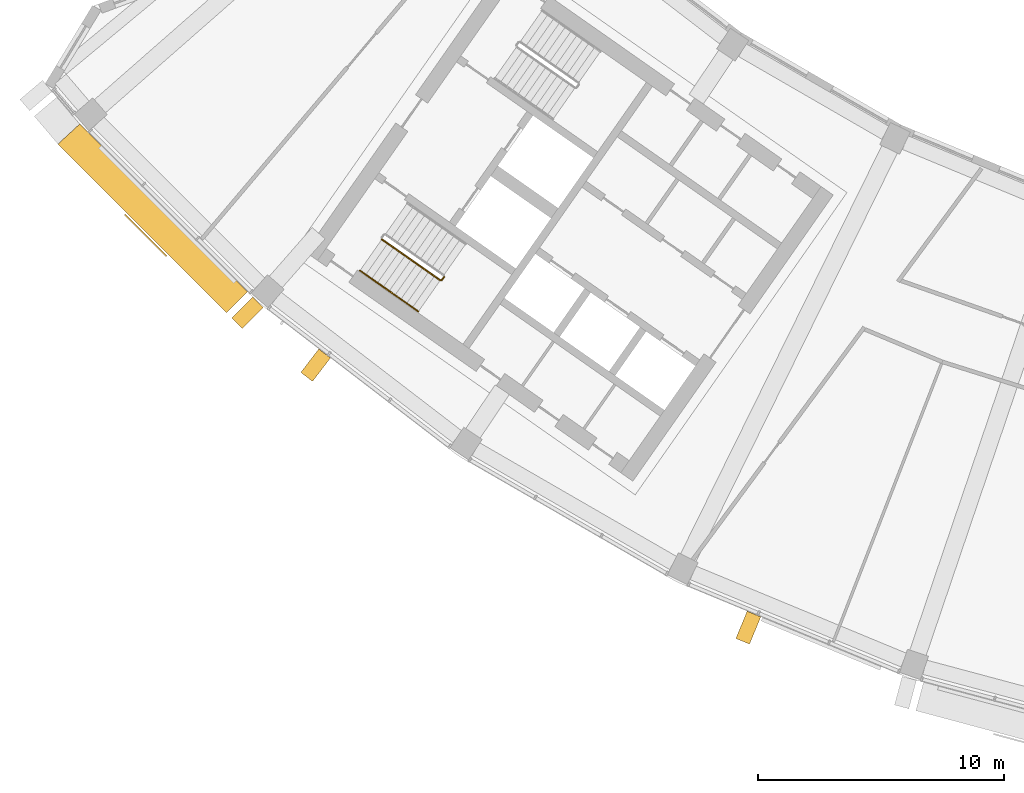
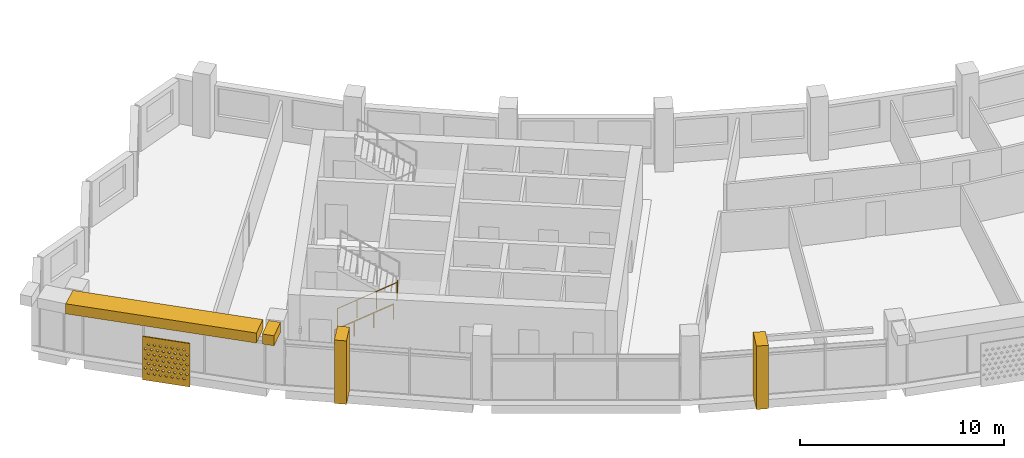
# One storey, part 23 of 28: 5 shading devices, 2 railings.
"""IFC4 building model written with IfcOpenShell, lengths in metres."""

from ifc_helpers import new_model, si_unit, direction, frame, origin, origin_2d, place, context, subcontext, project, spatial, polyline, circle, outline, extrude, material, material_profile, profile_set, type_object, element, save


model = new_model("IFC4")

# Units and contexts
model_context = context("Model", 3, precision=1e-05, world=origin(), true_north=direction((0.0, 1.0)))
body_context = subcontext(model_context, "Body", "Model", "MODEL_VIEW")
ifc_project = project(units=[si_unit("LENGTHUNIT", "METRE"), si_unit("AREAUNIT", "SQUARE_METRE"), si_unit("VOLUMEUNIT", "CUBIC_METRE"), si_unit("PLANEANGLEUNIT", "RADIAN"), si_unit("MASSUNIT", "GRAM", prefix="KILO")], contexts=[model_context])

# Site, building, storey
site_placement = place(None, origin())
site = spatial("IfcSite", under=ifc_project, at=site_placement, CompositionType="ELEMENT")
building_placement = place(site_placement, origin())
building = spatial("IfcBuilding", under=site, at=building_placement, Name="Qamariyya Broadcast Tower", CompositionType="ELEMENT")
storey_placement = place(building_placement, frame((0.0, 0.0, 269.5)))
storey = spatial("IfcBuildingStorey", under=building, at=storey_placement, Name="L65", CompositionType="ELEMENT", Elevation=269.5)

# Shading devices
ifc_material_1 = material(Name="Steel S355 powder coated deep red", Category="steel")
shading_device_type_1 = type_object("IfcShadingDeviceType", Name="Deep red frame, powder coated steel box section", PredefinedType="USERDEFINED", material=ifc_material_1)
shading_device_1_placement = place(storey_placement, origin())
element("IfcShadingDevice", 1, at=shading_device_1_placement, inside=storey, type_object=shading_device_type_1, Name="e-frm-B5-F2-posta-L65", ObjectType="FRAME", PredefinedType="USERDEFINED", context=body_context, shape_type="SweptSolid", body=[
    extrude(outline(polyline([(-49.1875, -60.8037109375), (-49.91796875, -61.755615234375), (-49.44189453125, -62.120849609375), (-48.71142578125, -61.1689453125), (-49.1875, -60.8037109375)])), origin(), (0.0, 0.0, 1.0), 3.800048828125),
])
shading_device_2_placement = place(storey_placement, origin())
element("IfcShadingDevice", 2, at=shading_device_2_placement, inside=storey, type_object=shading_device_type_1, Name="e-frm-B5-F2-postb-L65", ObjectType="FRAME", PredefinedType="USERDEFINED", context=body_context, shape_type="SweptSolid", body=[
    extrude(outline(polyline([(-31.7744140625, -71.46240234375), (-32.233642578125, -72.571044921875), (-31.67919921875, -72.80078125), (-31.219970703125, -71.692138671875), (-31.7744140625, -71.46240234375)])), origin(), (0.0, 0.0, 1.0), 3.800048828125),
])
shading_device_3_placement = place(storey_placement, frame((0.0, 0.0, 3.199951171875)))
element("IfcShadingDevice", 3, at=shading_device_3_placement, inside=storey, type_object=shading_device_type_1, Name="e-frm-B5-F1-postb-L65", ObjectType="FRAME", PredefinedType="USERDEFINED", context=body_context, shape_type="SweptSolid", body=[
    extrude(outline(polyline([(-51.871826171875, -58.694580078125), (-52.720458984375, -59.54296875), (-52.296142578125, -59.96728515625), (-51.447509765625, -59.118896484375), (-51.871826171875, -58.694580078125)])), origin(), (0.0, 0.0, 1.0), 0.60009765625),
])
shading_device_4_placement = place(storey_placement, frame((0.0, 0.0, 3.199951171875)))
element("IfcShadingDevice", 4, at=shading_device_4_placement, inside=storey, type_object=shading_device_type_1, Name="e-frm-B5-F1-bot1", ObjectType="FRAME", PredefinedType="USERDEFINED", context=body_context, shape_type="SweptSolid", body=[
    extrude(outline(polyline([(-58.90673828125, -51.65966796875), (-59.789306640625, -52.47412109375), (-52.9326171875, -59.330810546875), (-52.083984375, -58.482421875), (-58.90673828125, -51.65966796875)])), origin(), (0.0, 0.0, 1.0), 0.60009765625),
])
ifc_material_2 = material(Name="Perforated glazed terracotta", Category="masonry")
ifc_material_profile = material_profile(ifc_material_2, outline(polyline([(-1.199951171875, -1.300048828125), (1.199951171875, -1.300048828125), (1.199951171875, 1.300048828125), (-1.199951171875, 1.300048828125), (-1.199951171875, -1.300048828125)]), holes=[polyline([(-0.81494140625, -0.86669921875), (-0.89990234375, -0.78173828125), (-0.985107421875, -0.86669921875), (-0.89990234375, -0.95166015625), (-0.81494140625, -0.86669921875)]), polyline([(-0.514892578125, -0.86669921875), (-0.60009765625, -0.78173828125), (-0.68505859375, -0.86669921875), (-0.60009765625, -0.95166015625), (-0.514892578125, -0.86669921875)]), polyline([(-0.215087890625, -0.86669921875), (-0.300048828125, -0.78173828125), (-0.385009765625, -0.86669921875), (-0.300048828125, -0.95166015625), (-0.215087890625, -0.86669921875)]), polyline([(0.0849609375, -0.86669921875), (0.0, -0.78173828125), (-0.0849609375, -0.86669921875), (0.0, -0.95166015625), (0.0849609375, -0.86669921875)]), polyline([(0.385009765625, -0.86669921875), (0.300048828125, -0.78173828125), (0.215087890625, -0.86669921875), (0.300048828125, -0.95166015625), (0.385009765625, -0.86669921875)]), polyline([(0.68505859375, -0.86669921875), (0.60009765625, -0.78173828125), (0.514892578125, -0.86669921875), (0.60009765625, -0.95166015625), (0.68505859375, -0.86669921875)]), polyline([(0.985107421875, -0.86669921875), (0.89990234375, -0.78173828125), (0.81494140625, -0.86669921875), (0.89990234375, -0.95166015625), (0.985107421875, -0.86669921875)]), polyline([(-0.965087890625, -0.577880859375), (-1.050048828125, -0.49267578125), (-1.135009765625, -0.577880859375), (-1.050048828125, -0.662841796875), (-0.965087890625, -0.577880859375)]), polyline([(-0.6650390625, -0.577880859375), (-0.75, -0.49267578125), (-0.8349609375, -0.577880859375), (-0.75, -0.662841796875), (-0.6650390625, -0.577880859375)]), polyline([(-0.364990234375, -0.577880859375), (-0.449951171875, -0.49267578125), (-0.534912109375, -0.577880859375), (-0.449951171875, -0.662841796875), (-0.364990234375, -0.577880859375)]), polyline([(-0.06494140625, -0.577880859375), (-0.14990234375, -0.49267578125), (-0.235107421875, -0.577880859375), (-0.14990234375, -0.662841796875), (-0.06494140625, -0.577880859375)]), polyline([(0.235107421875, -0.577880859375), (0.14990234375, -0.49267578125), (0.06494140625, -0.577880859375), (0.14990234375, -0.662841796875), (0.235107421875, -0.577880859375)]), polyline([(0.534912109375, -0.577880859375), (0.449951171875, -0.49267578125), (0.364990234375, -0.577880859375), (0.449951171875, -0.662841796875), (0.534912109375, -0.577880859375)]), polyline([(0.8349609375, -0.577880859375), (0.75, -0.49267578125), (0.6650390625, -0.577880859375), (0.75, -0.662841796875), (0.8349609375, -0.577880859375)]), polyline([(1.135009765625, -0.577880859375), (1.050048828125, -0.49267578125), (0.965087890625, -0.577880859375), (1.050048828125, -0.662841796875), (1.135009765625, -0.577880859375)]), polyline([(-0.81494140625, -0.288818359375), (-0.89990234375, -0.203857421875), (-0.985107421875, -0.288818359375), (-0.89990234375, -0.373779296875), (-0.81494140625, -0.288818359375)]), polyline([(-0.514892578125, -0.288818359375), (-0.60009765625, -0.203857421875), (-0.68505859375, -0.288818359375), (-0.60009765625, -0.373779296875), (-0.514892578125, -0.288818359375)]), polyline([(-0.215087890625, -0.288818359375), (-0.300048828125, -0.203857421875), (-0.385009765625, -0.288818359375), (-0.300048828125, -0.373779296875), (-0.215087890625, -0.288818359375)]), polyline([(0.0849609375, -0.288818359375), (0.0, -0.203857421875), (-0.0849609375, -0.288818359375), (0.0, -0.373779296875), (0.0849609375, -0.288818359375)]), polyline([(0.385009765625, -0.288818359375), (0.300048828125, -0.203857421875), (0.215087890625, -0.288818359375), (0.300048828125, -0.373779296875), (0.385009765625, -0.288818359375)]), polyline([(0.68505859375, -0.288818359375), (0.60009765625, -0.203857421875), (0.514892578125, -0.288818359375), (0.60009765625, -0.373779296875), (0.68505859375, -0.288818359375)]), polyline([(0.985107421875, -0.288818359375), (0.89990234375, -0.203857421875), (0.81494140625, -0.288818359375), (0.89990234375, -0.373779296875), (0.985107421875, -0.288818359375)]), polyline([(-0.965087890625, 0.0), (-1.050048828125, 0.0849609375), (-1.135009765625, 0.0), (-1.050048828125, -0.0849609375), (-0.965087890625, 0.0)]), polyline([(-0.6650390625, 0.0), (-0.75, 0.0849609375), (-0.8349609375, 0.0), (-0.75, -0.0849609375), (-0.6650390625, 0.0)]), polyline([(-0.364990234375, 0.0), (-0.449951171875, 0.0849609375), (-0.534912109375, 0.0), (-0.449951171875, -0.0849609375), (-0.364990234375, 0.0)]), polyline([(-0.06494140625, 0.0), (-0.14990234375, 0.0849609375), (-0.235107421875, 0.0), (-0.14990234375, -0.0849609375), (-0.06494140625, 0.0)]), polyline([(0.235107421875, 0.0), (0.14990234375, 0.0849609375), (0.06494140625, 0.0), (0.14990234375, -0.0849609375), (0.235107421875, 0.0)]), polyline([(0.534912109375, 0.0), (0.449951171875, 0.0849609375), (0.364990234375, 0.0), (0.449951171875, -0.0849609375), (0.534912109375, 0.0)]), polyline([(0.8349609375, 0.0), (0.75, 0.0849609375), (0.6650390625, 0.0), (0.75, -0.0849609375), (0.8349609375, 0.0)]), polyline([(1.135009765625, 0.0), (1.050048828125, 0.0849609375), (0.965087890625, 0.0), (1.050048828125, -0.0849609375), (1.135009765625, 0.0)]), polyline([(-0.81494140625, 0.288818359375), (-0.89990234375, 0.373779296875), (-0.985107421875, 0.288818359375), (-0.89990234375, 0.203857421875), (-0.81494140625, 0.288818359375)]), polyline([(-0.514892578125, 0.288818359375), (-0.60009765625, 0.373779296875), (-0.68505859375, 0.288818359375), (-0.60009765625, 0.203857421875), (-0.514892578125, 0.288818359375)]), polyline([(-0.215087890625, 0.288818359375), (-0.300048828125, 0.373779296875), (-0.385009765625, 0.288818359375), (-0.300048828125, 0.203857421875), (-0.215087890625, 0.288818359375)]), polyline([(0.0849609375, 0.288818359375), (0.0, 0.373779296875), (-0.0849609375, 0.288818359375), (0.0, 0.203857421875), (0.0849609375, 0.288818359375)]), polyline([(0.385009765625, 0.288818359375), (0.300048828125, 0.373779296875), (0.215087890625, 0.288818359375), (0.300048828125, 0.203857421875), (0.385009765625, 0.288818359375)]), polyline([(0.68505859375, 0.288818359375), (0.60009765625, 0.373779296875), (0.514892578125, 0.288818359375), (0.60009765625, 0.203857421875), (0.68505859375, 0.288818359375)]), polyline([(0.985107421875, 0.288818359375), (0.89990234375, 0.373779296875), (0.81494140625, 0.288818359375), (0.89990234375, 0.203857421875), (0.985107421875, 0.288818359375)]), polyline([(-0.965087890625, 0.577880859375), (-1.050048828125, 0.662841796875), (-1.135009765625, 0.577880859375), (-1.050048828125, 0.49267578125), (-0.965087890625, 0.577880859375)]), polyline([(-0.6650390625, 0.577880859375), (-0.75, 0.662841796875), (-0.8349609375, 0.577880859375), (-0.75, 0.49267578125), (-0.6650390625, 0.577880859375)]), polyline([(-0.364990234375, 0.577880859375), (-0.449951171875, 0.662841796875), (-0.534912109375, 0.577880859375), (-0.449951171875, 0.49267578125), (-0.364990234375, 0.577880859375)]), polyline([(-0.06494140625, 0.577880859375), (-0.14990234375, 0.662841796875), (-0.235107421875, 0.577880859375), (-0.14990234375, 0.49267578125), (-0.06494140625, 0.577880859375)]), polyline([(0.235107421875, 0.577880859375), (0.14990234375, 0.662841796875), (0.06494140625, 0.577880859375), (0.14990234375, 0.49267578125), (0.235107421875, 0.577880859375)]), polyline([(0.534912109375, 0.577880859375), (0.449951171875, 0.662841796875), (0.364990234375, 0.577880859375), (0.449951171875, 0.49267578125), (0.534912109375, 0.577880859375)]), polyline([(0.8349609375, 0.577880859375), (0.75, 0.662841796875), (0.6650390625, 0.577880859375), (0.75, 0.49267578125), (0.8349609375, 0.577880859375)]), polyline([(1.135009765625, 0.577880859375), (1.050048828125, 0.662841796875), (0.965087890625, 0.577880859375), (1.050048828125, 0.49267578125), (1.135009765625, 0.577880859375)]), polyline([(-0.81494140625, 0.86669921875), (-0.89990234375, 0.95166015625), (-0.985107421875, 0.86669921875), (-0.89990234375, 0.78173828125), (-0.81494140625, 0.86669921875)]), polyline([(-0.514892578125, 0.86669921875), (-0.60009765625, 0.95166015625), (-0.68505859375, 0.86669921875), (-0.60009765625, 0.78173828125), (-0.514892578125, 0.86669921875)]), polyline([(-0.215087890625, 0.86669921875), (-0.300048828125, 0.95166015625), (-0.385009765625, 0.86669921875), (-0.300048828125, 0.78173828125), (-0.215087890625, 0.86669921875)]), polyline([(0.0849609375, 0.86669921875), (0.0, 0.95166015625), (-0.0849609375, 0.86669921875), (0.0, 0.78173828125), (0.0849609375, 0.86669921875)]), polyline([(0.385009765625, 0.86669921875), (0.300048828125, 0.95166015625), (0.215087890625, 0.86669921875), (0.300048828125, 0.78173828125), (0.385009765625, 0.86669921875)]), polyline([(0.68505859375, 0.86669921875), (0.60009765625, 0.95166015625), (0.514892578125, 0.86669921875), (0.60009765625, 0.78173828125), (0.68505859375, 0.86669921875)]), polyline([(0.985107421875, 0.86669921875), (0.89990234375, 0.95166015625), (0.81494140625, 0.86669921875), (0.89990234375, 0.78173828125), (0.985107421875, 0.86669921875)])]))
ifc_profile_set = profile_set([ifc_material_profile], Name="Perforated glazed terracotta")
shading_device_type_2 = type_object("IfcShadingDeviceType", Name="Perforated terracotta screen 2400 x 2600", PredefinedType="USERDEFINED", material=ifc_profile_set)
shading_device_5_placement = place(storey_placement, frame((-56.203125, -56.1591796875, 1.35009765625), z_axis=(-0.707106781187, -0.707106781187, 0.0), x_axis=(0.707106781187, -0.707106781187, 0.0)))
element("IfcShadingDevice", 5, at=shading_device_5_placement, inside=storey, type_object=shading_device_type_2, Name="e-scr-L65-01-1", ObjectType="SCREEN", PredefinedType="USERDEFINED", context=body_context, shape_type="SweptSolid", body=[
    extrude(outline(polyline([(-1.199951171875, -1.300048828125), (1.199951171875, -1.300048828125), (1.199951171875, 1.300048828125), (-1.199951171875, 1.300048828125), (-1.199951171875, -1.300048828125)]), holes=[polyline([(-0.81494140625, -0.86669921875), (-0.89990234375, -0.78173828125), (-0.985107421875, -0.86669921875), (-0.89990234375, -0.95166015625), (-0.81494140625, -0.86669921875)]), polyline([(-0.514892578125, -0.86669921875), (-0.60009765625, -0.78173828125), (-0.68505859375, -0.86669921875), (-0.60009765625, -0.95166015625), (-0.514892578125, -0.86669921875)]), polyline([(-0.215087890625, -0.86669921875), (-0.300048828125, -0.78173828125), (-0.385009765625, -0.86669921875), (-0.300048828125, -0.95166015625), (-0.215087890625, -0.86669921875)]), polyline([(0.0849609375, -0.86669921875), (0.0, -0.78173828125), (-0.0849609375, -0.86669921875), (0.0, -0.95166015625), (0.0849609375, -0.86669921875)]), polyline([(0.385009765625, -0.86669921875), (0.300048828125, -0.78173828125), (0.215087890625, -0.86669921875), (0.300048828125, -0.95166015625), (0.385009765625, -0.86669921875)]), polyline([(0.68505859375, -0.86669921875), (0.60009765625, -0.78173828125), (0.514892578125, -0.86669921875), (0.60009765625, -0.95166015625), (0.68505859375, -0.86669921875)]), polyline([(0.985107421875, -0.86669921875), (0.89990234375, -0.78173828125), (0.81494140625, -0.86669921875), (0.89990234375, -0.95166015625), (0.985107421875, -0.86669921875)]), polyline([(-0.965087890625, -0.577880859375), (-1.050048828125, -0.49267578125), (-1.135009765625, -0.577880859375), (-1.050048828125, -0.662841796875), (-0.965087890625, -0.577880859375)]), polyline([(-0.6650390625, -0.577880859375), (-0.75, -0.49267578125), (-0.8349609375, -0.577880859375), (-0.75, -0.662841796875), (-0.6650390625, -0.577880859375)]), polyline([(-0.364990234375, -0.577880859375), (-0.449951171875, -0.49267578125), (-0.534912109375, -0.577880859375), (-0.449951171875, -0.662841796875), (-0.364990234375, -0.577880859375)]), polyline([(-0.06494140625, -0.577880859375), (-0.14990234375, -0.49267578125), (-0.235107421875, -0.577880859375), (-0.14990234375, -0.662841796875), (-0.06494140625, -0.577880859375)]), polyline([(0.235107421875, -0.577880859375), (0.14990234375, -0.49267578125), (0.06494140625, -0.577880859375), (0.14990234375, -0.662841796875), (0.235107421875, -0.577880859375)]), polyline([(0.534912109375, -0.577880859375), (0.449951171875, -0.49267578125), (0.364990234375, -0.577880859375), (0.449951171875, -0.662841796875), (0.534912109375, -0.577880859375)]), polyline([(0.8349609375, -0.577880859375), (0.75, -0.49267578125), (0.6650390625, -0.577880859375), (0.75, -0.662841796875), (0.8349609375, -0.577880859375)]), polyline([(1.135009765625, -0.577880859375), (1.050048828125, -0.49267578125), (0.965087890625, -0.577880859375), (1.050048828125, -0.662841796875), (1.135009765625, -0.577880859375)]), polyline([(-0.81494140625, -0.288818359375), (-0.89990234375, -0.203857421875), (-0.985107421875, -0.288818359375), (-0.89990234375, -0.373779296875), (-0.81494140625, -0.288818359375)]), polyline([(-0.514892578125, -0.288818359375), (-0.60009765625, -0.203857421875), (-0.68505859375, -0.288818359375), (-0.60009765625, -0.373779296875), (-0.514892578125, -0.288818359375)]), polyline([(-0.215087890625, -0.288818359375), (-0.300048828125, -0.203857421875), (-0.385009765625, -0.288818359375), (-0.300048828125, -0.373779296875), (-0.215087890625, -0.288818359375)]), polyline([(0.0849609375, -0.288818359375), (0.0, -0.203857421875), (-0.0849609375, -0.288818359375), (0.0, -0.373779296875), (0.0849609375, -0.288818359375)]), polyline([(0.385009765625, -0.288818359375), (0.300048828125, -0.203857421875), (0.215087890625, -0.288818359375), (0.300048828125, -0.373779296875), (0.385009765625, -0.288818359375)]), polyline([(0.68505859375, -0.288818359375), (0.60009765625, -0.203857421875), (0.514892578125, -0.288818359375), (0.60009765625, -0.373779296875), (0.68505859375, -0.288818359375)]), polyline([(0.985107421875, -0.288818359375), (0.89990234375, -0.203857421875), (0.81494140625, -0.288818359375), (0.89990234375, -0.373779296875), (0.985107421875, -0.288818359375)]), polyline([(-0.965087890625, 0.0), (-1.050048828125, 0.0849609375), (-1.135009765625, 0.0), (-1.050048828125, -0.0849609375), (-0.965087890625, 0.0)]), polyline([(-0.6650390625, 0.0), (-0.75, 0.0849609375), (-0.8349609375, 0.0), (-0.75, -0.0849609375), (-0.6650390625, 0.0)]), polyline([(-0.364990234375, 0.0), (-0.449951171875, 0.0849609375), (-0.534912109375, 0.0), (-0.449951171875, -0.0849609375), (-0.364990234375, 0.0)]), polyline([(-0.06494140625, 0.0), (-0.14990234375, 0.0849609375), (-0.235107421875, 0.0), (-0.14990234375, -0.0849609375), (-0.06494140625, 0.0)]), polyline([(0.235107421875, 0.0), (0.14990234375, 0.0849609375), (0.06494140625, 0.0), (0.14990234375, -0.0849609375), (0.235107421875, 0.0)]), polyline([(0.534912109375, 0.0), (0.449951171875, 0.0849609375), (0.364990234375, 0.0), (0.449951171875, -0.0849609375), (0.534912109375, 0.0)]), polyline([(0.8349609375, 0.0), (0.75, 0.0849609375), (0.6650390625, 0.0), (0.75, -0.0849609375), (0.8349609375, 0.0)]), polyline([(1.135009765625, 0.0), (1.050048828125, 0.0849609375), (0.965087890625, 0.0), (1.050048828125, -0.0849609375), (1.135009765625, 0.0)]), polyline([(-0.81494140625, 0.288818359375), (-0.89990234375, 0.373779296875), (-0.985107421875, 0.288818359375), (-0.89990234375, 0.203857421875), (-0.81494140625, 0.288818359375)]), polyline([(-0.514892578125, 0.288818359375), (-0.60009765625, 0.373779296875), (-0.68505859375, 0.288818359375), (-0.60009765625, 0.203857421875), (-0.514892578125, 0.288818359375)]), polyline([(-0.215087890625, 0.288818359375), (-0.300048828125, 0.373779296875), (-0.385009765625, 0.288818359375), (-0.300048828125, 0.203857421875), (-0.215087890625, 0.288818359375)]), polyline([(0.0849609375, 0.288818359375), (0.0, 0.373779296875), (-0.0849609375, 0.288818359375), (0.0, 0.203857421875), (0.0849609375, 0.288818359375)]), polyline([(0.385009765625, 0.288818359375), (0.300048828125, 0.373779296875), (0.215087890625, 0.288818359375), (0.300048828125, 0.203857421875), (0.385009765625, 0.288818359375)]), polyline([(0.68505859375, 0.288818359375), (0.60009765625, 0.373779296875), (0.514892578125, 0.288818359375), (0.60009765625, 0.203857421875), (0.68505859375, 0.288818359375)]), polyline([(0.985107421875, 0.288818359375), (0.89990234375, 0.373779296875), (0.81494140625, 0.288818359375), (0.89990234375, 0.203857421875), (0.985107421875, 0.288818359375)]), polyline([(-0.965087890625, 0.577880859375), (-1.050048828125, 0.662841796875), (-1.135009765625, 0.577880859375), (-1.050048828125, 0.49267578125), (-0.965087890625, 0.577880859375)]), polyline([(-0.6650390625, 0.577880859375), (-0.75, 0.662841796875), (-0.8349609375, 0.577880859375), (-0.75, 0.49267578125), (-0.6650390625, 0.577880859375)]), polyline([(-0.364990234375, 0.577880859375), (-0.449951171875, 0.662841796875), (-0.534912109375, 0.577880859375), (-0.449951171875, 0.49267578125), (-0.364990234375, 0.577880859375)]), polyline([(-0.06494140625, 0.577880859375), (-0.14990234375, 0.662841796875), (-0.235107421875, 0.577880859375), (-0.14990234375, 0.49267578125), (-0.06494140625, 0.577880859375)]), polyline([(0.235107421875, 0.577880859375), (0.14990234375, 0.662841796875), (0.06494140625, 0.577880859375), (0.14990234375, 0.49267578125), (0.235107421875, 0.577880859375)]), polyline([(0.534912109375, 0.577880859375), (0.449951171875, 0.662841796875), (0.364990234375, 0.577880859375), (0.449951171875, 0.49267578125), (0.534912109375, 0.577880859375)]), polyline([(0.8349609375, 0.577880859375), (0.75, 0.662841796875), (0.6650390625, 0.577880859375), (0.75, 0.49267578125), (0.8349609375, 0.577880859375)]), polyline([(1.135009765625, 0.577880859375), (1.050048828125, 0.662841796875), (0.965087890625, 0.577880859375), (1.050048828125, 0.49267578125), (1.135009765625, 0.577880859375)]), polyline([(-0.81494140625, 0.86669921875), (-0.89990234375, 0.95166015625), (-0.985107421875, 0.86669921875), (-0.89990234375, 0.78173828125), (-0.81494140625, 0.86669921875)]), polyline([(-0.514892578125, 0.86669921875), (-0.60009765625, 0.95166015625), (-0.68505859375, 0.86669921875), (-0.60009765625, 0.78173828125), (-0.514892578125, 0.86669921875)]), polyline([(-0.215087890625, 0.86669921875), (-0.300048828125, 0.95166015625), (-0.385009765625, 0.86669921875), (-0.300048828125, 0.78173828125), (-0.215087890625, 0.86669921875)]), polyline([(0.0849609375, 0.86669921875), (0.0, 0.95166015625), (-0.0849609375, 0.86669921875), (0.0, 0.78173828125), (0.0849609375, 0.86669921875)]), polyline([(0.385009765625, 0.86669921875), (0.300048828125, 0.95166015625), (0.215087890625, 0.86669921875), (0.300048828125, 0.78173828125), (0.385009765625, 0.86669921875)]), polyline([(0.68505859375, 0.86669921875), (0.60009765625, 0.95166015625), (0.514892578125, 0.86669921875), (0.60009765625, 0.78173828125), (0.68505859375, 0.86669921875)]), polyline([(0.985107421875, 0.86669921875), (0.89990234375, 0.95166015625), (0.81494140625, 0.86669921875), (0.89990234375, 0.78173828125), (0.985107421875, 0.86669921875)])]), origin(), (0.0, 0.0, 1.0), 0.06005859375),
])

# Railings
ifc_material_3 = material(Name="Painted steel", Category="steel")
railing_type_1 = type_object("IfcRailingType", Name="Stair guard", PredefinedType="GUARDRAIL", material=ifc_material_3)
railing_1_placement = place(storey_placement, frame((-46.624267578125, -56.34765625, 0.172607421875)))
element("IfcRailing", 6, at=railing_1_placement, inside=storey, type_object=railing_type_1, Name="L65 ST-W1 stair guard 1", PredefinedType="GUARDRAIL", context=body_context, shape_type="SweptSolid", body=[
    extrude(circle(Radius=0.02392578125, at=origin_2d()), frame((0.0, 0.0, 1.076171875), z_axis=(0.703745009021, -0.492838488332, 0.511715923826), x_axis=(0.573631830683, 0.819113253969, 0.0)), (0.0, 0.0, 1.0), 3.37548828125),
    extrude(circle(Radius=0.02392578125, at=origin_2d()), frame((2.37548828125, -1.66357421875, 2.80322265625), z_axis=(0.984363469884, 0.176149252506, 0.0), x_axis=(-0.176149252506, 0.984363469884, 0.0)), (0.0, 0.0, 1.0), 0.07080078125),
    extrude(circle(Radius=0.02392578125, at=origin_2d()), frame((2.445068359375, -1.651123046875, 2.80322265625), z_axis=(0.574444878118, 0.818543268254, 0.0), x_axis=(-0.818543268254, 0.574444878118, 0.0)), (0.0, 0.0, 1.0), 0.150146484375),
    extrude(circle(Radius=0.02099609375, at=origin_2d()), origin(), (0.0, 0.0, 1.0), 1.052001953125),
    extrude(circle(Radius=0.02099609375, at=origin_2d()), frame((0.791748046875, -0.554443359375, 0.57568359375)), (0.0, 0.0, 1.0), 1.052001953125),
    extrude(circle(Radius=0.02099609375, at=origin_2d()), frame((1.583740234375, -1.109130859375, 1.151611328125)), (0.0, 0.0, 1.0), 1.052001953125),
    extrude(circle(Radius=0.02099609375, at=origin_2d()), frame((2.37548828125, -1.66357421875, 1.727294921875)), (0.0, 0.0, 1.0), 1.052001953125),
    extrude(circle(Radius=0.02099609375, at=origin_2d()), frame((2.445068359375, -1.651123046875, 1.727294921875)), (0.0, 0.0, 1.0), 1.052001953125),
    extrude(circle(Radius=0.02099609375, at=origin_2d()), frame((2.53125, -1.5283203125, 1.727294921875)), (0.0, 0.0, 1.0), 1.052001953125),
])
ifc_material_4 = material(Name="Stainless steel", Category="steel")
railing_type_2 = type_object("IfcRailingType", Name="Stair handrail", PredefinedType="HANDRAIL", material=ifc_material_4)
railing_2_placement = place(storey_placement, frame((-47.513427734375, -57.617431640625, 0.172607421875)))
element("IfcRailing", 7, at=railing_2_placement, inside=storey, type_object=railing_type_2, Name="L65 ST-W1 stair handrail 1", PredefinedType="HANDRAIL", context=body_context, shape_type="SweptSolid", body=[
    extrude(circle(Radius=0.02392578125, at=origin_2d()), frame((0.0, 0.0, 0.8759765625), z_axis=(0.703770094002, -0.492783725636, 0.511734163933), x_axis=(0.573575343427, 0.819152809562, 0.0)), (0.0, 0.0, 1.0), 3.37548828125),
    extrude(circle(Radius=0.02099609375, at=origin_2d()), origin(), (0.0, 0.0, 1.0), 0.851806640625),
    extrude(circle(Radius=0.02099609375, at=origin_2d()), frame((0.791748046875, -0.554443359375, 0.57568359375)), (0.0, 0.0, 1.0), 0.851806640625),
    extrude(circle(Radius=0.02099609375, at=origin_2d()), frame((1.583740234375, -1.10888671875, 1.151611328125)), (0.0, 0.0, 1.0), 0.851806640625),
    extrude(circle(Radius=0.02099609375, at=origin_2d()), frame((2.37548828125, -1.663330078125, 1.727294921875)), (0.0, 0.0, 1.0), 0.851806640625),
])

save(model, "model.ifc")
